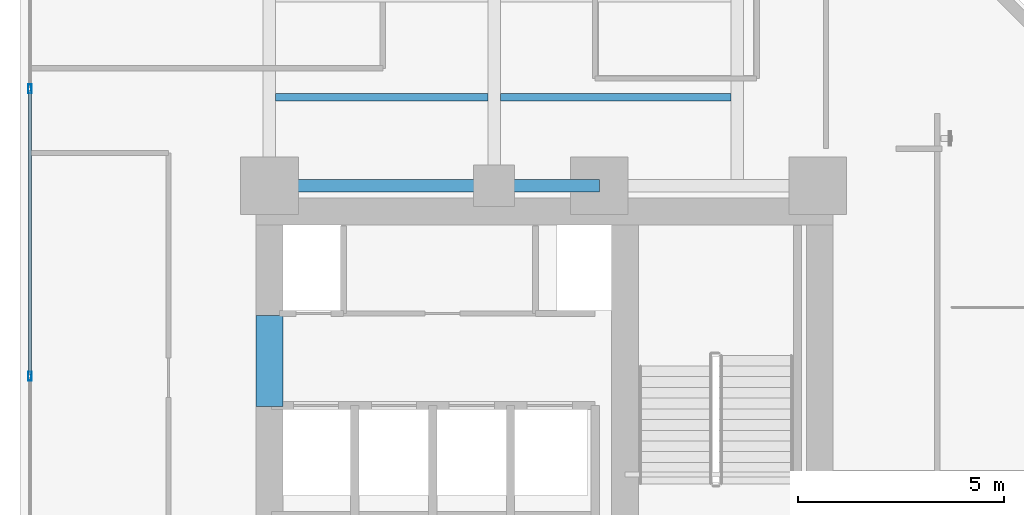
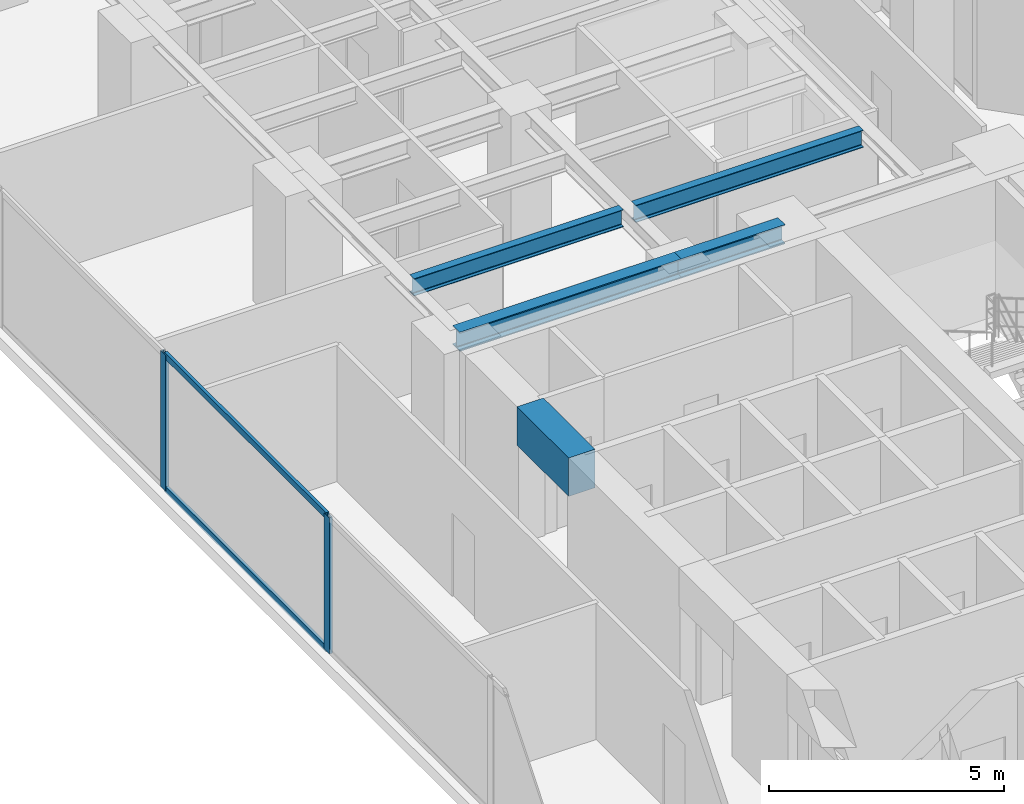
# One storey, part 6 of 26: 5 beams, 4 members, 1 element without a shape of its own.
"""IFC4 building model written with IfcOpenShell, lengths in metres."""

from ifc_helpers import new_model, si_unit, direction, frame, origin, origin_with_axes, origin_2d, place, context, subcontext, project, spatial, rectangle, hollow_rectangle, i_section, extrude, source, transform, mapped, material, layer, layer_set, material_profile, profile_set, type_object, element, aggregate, save


model = new_model("IFC4")

# Units and contexts
model_context = context("Model", 3, precision=1e-05, world=origin(), true_north=direction((0.0, 1.0)))
body_context = subcontext(model_context, "Body", "Model", "MODEL_VIEW")
ifc_project = project(units=[si_unit("LENGTHUNIT", "METRE"), si_unit("AREAUNIT", "SQUARE_METRE"), si_unit("VOLUMEUNIT", "CUBIC_METRE"), si_unit("PLANEANGLEUNIT", "RADIAN"), si_unit("MASSUNIT", "GRAM", prefix="KILO")], contexts=[model_context])

# Site, building, storey
site_placement = place(None, origin())
site = spatial("IfcSite", under=ifc_project, at=site_placement, CompositionType="ELEMENT")
building_placement = place(site_placement, origin())
building = spatial("IfcBuilding", under=site, at=building_placement, Name="Kolvaren Waterfront Exchange", CompositionType="ELEMENT")
storey_placement = place(building_placement, frame((0.0, 0.0, 110.699951171875)))
storey = spatial("IfcBuildingStorey", under=building, at=storey_placement, Name="L28", CompositionType="ELEMENT", Elevation=110.699951171875)

# Beams
ifc_material_1 = material(Name="Steel S355", Category="steel")
ifc_material_profile_1 = material_profile(ifc_material_1, i_section(OverallWidth=0.300048828125, OverallDepth=0.5, WebThickness=0.014404296875, FlangeThickness=0.028076171875, FilletRadius=0.027099609375, at=origin_2d()), Name="HEB500")
ifc_profile_set_1 = profile_set([ifc_material_profile_1], Name="Steel S355")
beam_type_1 = type_object("IfcBeamType", Name="STR-BM-HEB500", PredefinedType="BEAM", material=ifc_profile_set_1)
beam_1_placement = place(storey_placement, frame((7.449951171875, 24.449951171875, 3.2900390625), z_axis=(1.0, 0.0, 0.0), x_axis=(0.0, 1.0, 0.0)))
element("IfcBeam", 1, at=beam_1_placement, inside=storey, type_object=beam_type_1, Name="L28 north-arm girder 1A", PredefinedType="BEAM", context=body_context, shape_type="SweptSolid", body=[
    extrude(i_section(OverallWidth=0.300048828125, OverallDepth=0.5, WebThickness=0.014404296875, FlangeThickness=0.028076171875, FilletRadius=0.027099609375, at=origin_2d()), origin(), (0.0, 0.0, 1.0), 5.449951171875),
])
beam_2_placement = place(storey_placement, frame((12.89990234375, 24.449951171875, 3.2900390625), z_axis=(1.0, 0.0, 0.0), x_axis=(0.0, 1.0, 0.0)))
element("IfcBeam", 2, at=beam_2_placement, inside=storey, type_object=beam_type_1, Name="L28 north-arm girder 1B", PredefinedType="BEAM", context=body_context, shape_type="SweptSolid", body=[
    extrude(i_section(OverallWidth=0.300048828125, OverallDepth=0.5, WebThickness=0.014404296875, FlangeThickness=0.028076171875, FilletRadius=0.027099609375, at=origin_2d()), origin(), (0.0, 0.0, 1.0), 2.550048828125),
])
ifc_material_profile_2 = material_profile(ifc_material_1, i_section(OverallWidth=0.18994140625, OverallDepth=0.449951171875, WebThickness=0.009521484375, FlangeThickness=0.0146484375, FilletRadius=0.02099609375, at=origin_2d()), Name="IPE450")
ifc_profile_set_2 = profile_set([ifc_material_profile_2], Name="Steel S355")
beam_type_2 = type_object("IfcBeamType", Name="STR-BM-IPE450", PredefinedType="JOIST", material=ifc_profile_set_2)
beam_3_placement = place(storey_placement, frame((7.60205078125, 26.60009765625, 3.31494140625), z_axis=(1.0, 0.0, 0.0), x_axis=(0.0, 1.0, 0.0)))
element("IfcBeam", 3, at=beam_3_placement, inside=storey, type_object=beam_type_2, Name="L28 north-arm composite joist 1A", PredefinedType="JOIST", context=body_context, shape_type="SweptSolid", body=[
    extrude(i_section(OverallWidth=0.18994140625, OverallDepth=0.449951171875, WebThickness=0.009521484375, FlangeThickness=0.0146484375, FilletRadius=0.02099609375, at=origin_2d()), origin(), (0.0, 0.0, 1.0), 5.14599609375),
])
beam_4_placement = place(storey_placement, frame((13.052001953125, 26.60009765625, 3.31494140625), z_axis=(1.0, 0.0, 0.0), x_axis=(0.0, 1.0, 0.0)))
element("IfcBeam", 4, at=beam_4_placement, inside=storey, type_object=beam_type_2, Name="L28 north-arm composite joist 1B", PredefinedType="JOIST", context=body_context, shape_type="SweptSolid", body=[
    extrude(i_section(OverallWidth=0.18994140625, OverallDepth=0.449951171875, WebThickness=0.009521484375, FlangeThickness=0.0146484375, FilletRadius=0.02099609375, at=origin_2d()), origin(), (0.0, 0.0, 1.0), 5.595947265625),
])
ifc_material_2 = material(Name="Concrete C60/75", Category="concrete")
ifc_material_profile_3 = material_profile(ifc_material_2, rectangle(XDim=0.64990234375, YDim=1.0, at=origin_2d()), Name="RC-CB-1000x650")
ifc_profile_set_3 = profile_set([ifc_material_profile_3], Name="Concrete C60/75")
beam_type_3 = type_object("IfcBeamType", Name="STR-CB-1000", PredefinedType="SPANDREL", material=ifc_profile_set_3)
beam_5_placement = place(storey_placement, frame((7.449951171875, 19.10009765625, 3.0400390625), z_axis=(0.0, 1.0, 0.0), x_axis=(-1.0, 0.0, 0.0)))
element("IfcBeam", 5, at=beam_5_placement, inside=storey, type_object=beam_type_3, Name="L28 core coupling beam 5", PredefinedType="SPANDREL", context=body_context, shape_type="SweptSolid", body=[
    extrude(rectangle(XDim=0.64990234375, YDim=1.0, at=origin_2d()), origin(), (0.0, 0.0, 1.0), 2.199951171875),
])

# Curtain wall, members
ifc_material_3 = material(Name="Anodised aluminium 6063-T6", Category="aluminium")
ifc_layer = layer(ifc_material_3, 0.219970703125, Name="Anodised aluminium 6063-T6")
ifc_layer_set = layer_set([ifc_layer], Name="Anodised aluminium 6063-T6")
curtain_wall_type = type_object("IfcCurtainWallType", Name="ARC-CW-SYS2", PredefinedType="USERDEFINED", material=ifc_layer_set)
curtain_wall_placement = place(storey_placement, origin())
curtain_wall = element("IfcCurtainWall", 6, at=curtain_wall_placement, inside=storey, type_object=curtain_wall_type, Name="L28 stick curtain wall CW2 (CW-L28-W)", ObjectType="STICK CURTAIN WALL", PredefinedType="USERDEFINED")
ifc_material_profile_4 = material_profile(ifc_material_3, hollow_rectangle(XDim=0.080078125, YDim=0.219970703125, WallThickness=0.0048828125, at=origin_2d()), Name="ALU-MUL-220x80x5")
ifc_profile_set_4 = profile_set([ifc_material_profile_4], Name="Anodised aluminium 6063-T6")
member_type_1 = type_object("IfcMemberType", Name="ARC-CWM-220", PredefinedType="MULLION", material=ifc_profile_set_4)
shared_shape_1 = source(origin_with_axes(), body_context, "Body", "SweptSolid", [
    extrude(hollow_rectangle(XDim=0.080078125, YDim=0.219970703125, WallThickness=0.0048828125, at=origin_2d()), origin(), (0.0, 0.0, 1.0), 3.5400390625),
])
member_1_placement = place(storey_placement, frame((1.639892578125, 19.833251953125, 0.0), z_axis=(0.0, 0.0, 1.0), x_axis=(-1.0, 0.0, 0.0)))
member_1 = element("IfcMember", 7, at=member_1_placement, type_object=member_type_1, Name="CW2 mullion 3", PredefinedType="MULLION", context=body_context, shape_type="MappedRepresentation", body=[
    mapped(shared_shape_1, transform((0.0, 0.0, 0.0), x_axis=(1.0, 0.0, 0.0), y_axis=(0.0, 1.0, 0.0), z_axis=(0.0, 0.0, 1.0), scale=1.0)),
])
member_2_placement = place(storey_placement, frame((1.639892578125, 26.800048828125, 0.0), z_axis=(0.0, 0.0, 1.0), x_axis=(-1.0, 0.0, 0.0)))
member_2 = element("IfcMember", 8, at=member_2_placement, type_object=member_type_1, Name="CW2 mullion 4", PredefinedType="MULLION", context=body_context, shape_type="MappedRepresentation", body=[
    mapped(shared_shape_1, transform((0.0, 0.0, 0.0), x_axis=(1.0, 0.0, 0.0), y_axis=(0.0, 1.0, 0.0), z_axis=(0.0, 0.0, 1.0), scale=1.0)),
])
ifc_material_profile_5 = material_profile(ifc_material_3, hollow_rectangle(XDim=0.074951171875, YDim=0.159912109375, WallThickness=0.00439453125, at=origin_2d()), Name="ALU-TRN-160x75x4.5")
ifc_profile_set_5 = profile_set([ifc_material_profile_5], Name="Anodised aluminium 6063-T6")
member_type_2 = type_object("IfcMemberType", Name="ARC-CWT-160", PredefinedType="USERDEFINED", material=ifc_profile_set_5)
shared_shape_2 = source(origin_with_axes(), body_context, "Body", "SweptSolid", [
    extrude(hollow_rectangle(XDim=0.074951171875, YDim=0.159912109375, WallThickness=0.00439453125, at=origin_2d()), origin(), (0.0, 0.0, 1.0), 6.88671875),
])
member_3_placement = place(storey_placement, frame((1.639892578125, 19.873291015625, 0.03759765625), z_axis=(0.0, 1.0, 0.0), x_axis=(-1.0, 0.0, 0.0)))
member_3 = element("IfcMember", 9, at=member_3_placement, type_object=member_type_2, Name="CW2 transom 3.1", ObjectType="TRANSOM", PredefinedType="USERDEFINED", context=body_context, shape_type="MappedRepresentation", body=[
    mapped(shared_shape_2, transform((0.0, 0.0, 0.0), x_axis=(1.0, 0.0, 0.0), y_axis=(0.0, 1.0, 0.0), z_axis=(0.0, 0.0, 1.0), scale=1.0)),
])
member_4_placement = place(storey_placement, frame((1.639892578125, 19.873291015625, 3.50244140625), z_axis=(0.0, 1.0, 0.0), x_axis=(-1.0, 0.0, 0.0)))
member_4 = element("IfcMember", 10, at=member_4_placement, type_object=member_type_2, Name="CW2 transom 3.2", ObjectType="TRANSOM", PredefinedType="USERDEFINED", context=body_context, shape_type="MappedRepresentation", body=[
    mapped(shared_shape_2, transform((0.0, 0.0, 0.0), x_axis=(1.0, 0.0, 0.0), y_axis=(0.0, 1.0, 0.0), z_axis=(0.0, 0.0, 1.0), scale=1.0)),
])
aggregate(curtain_wall, [member_1, member_2, member_3, member_4])

save(model, "model.ifc")
